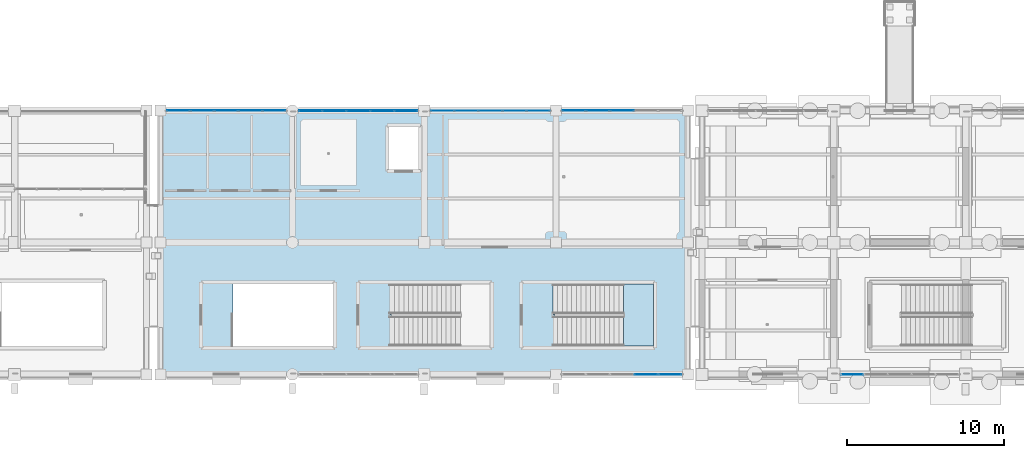
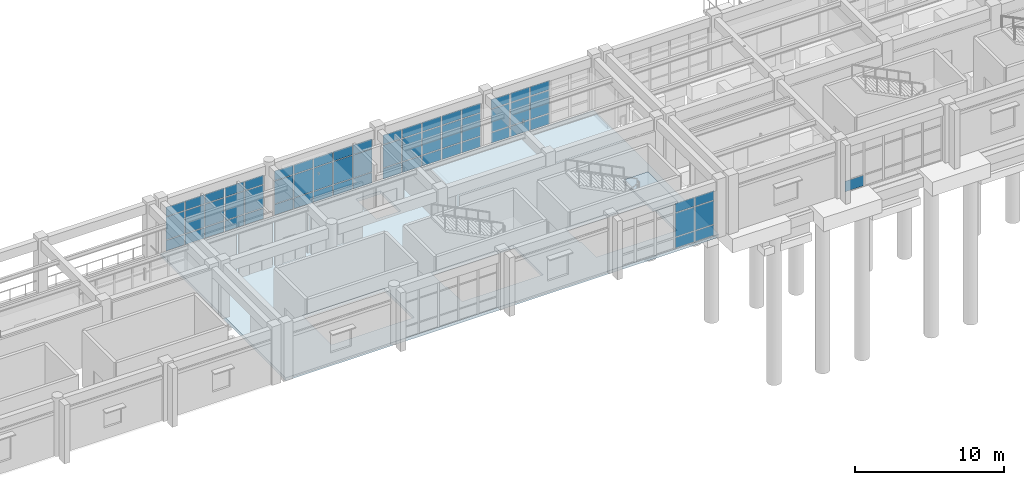
# One storey, part 74 of 111: 61 plates, 2 slabs, 7 elements without a shape of their own.
"""IFC4 building model written with IfcOpenShell, lengths in metres."""

from ifc_helpers import new_model, si_unit, direction, frame, origin, origin_2d, place, context, subcontext, project, spatial, polyline, rectangle, outline, extrude, material, layer, layer_set, type_object, element, aggregate, save


model = new_model("IFC4")

# Units and contexts
model_context = context("Model", 3, precision=1e-05, world=origin(), true_north=direction((0.0, 1.0)))
body_context = subcontext(model_context, "Body", "Model", "MODEL_VIEW")
ifc_project = project(units=[si_unit("LENGTHUNIT", "METRE"), si_unit("AREAUNIT", "SQUARE_METRE"), si_unit("VOLUMEUNIT", "CUBIC_METRE"), si_unit("PLANEANGLEUNIT", "RADIAN"), si_unit("MASSUNIT", "GRAM", prefix="KILO")], contexts=[model_context])

# Site, building, storey
site_placement = place(None, origin())
site = spatial("IfcSite", under=ifc_project, at=site_placement, CompositionType="ELEMENT")
building_placement = place(site_placement, origin())
building = spatial("IfcBuilding", under=site, at=building_placement, Name="Canglan Escarpment Cableway Terminal", CompositionType="ELEMENT")
storey_placement = place(building_placement, frame((0.0, 0.0, 4.800048828125)))
storey = spatial("IfcBuildingStorey", under=building, at=storey_placement, Name="L01", CompositionType="ELEMENT", Elevation=4.800048828125)

# Curtain wall, plates
ifc_material_1 = material(Name="Anodized bronze aluminium and Low-E double glazing", Category="aluminium")
curtain_wall_type_1 = type_object("IfcCurtainWallType", Name="CW-BAY-7675x3725", PredefinedType="NOTDEFINED", material=ifc_material_1)
curtain_wall_1_placement = place(storey_placement, origin())
curtain_wall_1 = element("IfcCurtainWall", 1, at=curtain_wall_1_placement, inside=storey, type_object=curtain_wall_type_1, Name="Classical bay-between-piers glazed curtain wall CW-05", PredefinedType="NOTDEFINED")
ifc_material_2 = material(Name="Double-silver Low-E laminated insulating glass", Category="glass")
ifc_layer_1 = layer(ifc_material_2, 0.02392578125, Name="Double-silver Low-E laminated insulating glass")
ifc_layer_set_1 = layer_set([ifc_layer_1], Name="Double-silver Low-E laminated insulating glass")
plate_type_1 = type_object("IfcPlateType", Name="CWP-01", PredefinedType="CURTAIN_PANEL", material=ifc_layer_set_1)
plate_1_placement = place(storey_placement, frame((66.566162109375, 24.800048828125, 0.06005859375), z_axis=(0.0, 0.0, 1.0), x_axis=(-1.0, 0.0, 0.0)))
plate_1 = element("IfcPlate", 2, at=plate_1_placement, type_object=plate_type_1, Name="CW-05 panel 1.1", PredefinedType="CURTAIN_PANEL", context=body_context, shape_type="SweptSolid", body=[
    extrude(rectangle(XDim=1.4375, YDim=0.02392578125, at=origin_2d()), origin(), (0.0, 0.0, 1.0), 0.860107421875),
])
plate_2_placement = place(storey_placement, frame((66.566162109375, 24.800048828125, 0.97998046875), z_axis=(0.0, 0.0, 1.0), x_axis=(-1.0, 0.0, 0.0)))
plate_2 = element("IfcPlate", 3, at=plate_2_placement, type_object=plate_type_1, Name="CW-05 panel 1.2", PredefinedType="CURTAIN_PANEL", context=body_context, shape_type="SweptSolid", body=[
    extrude(rectangle(XDim=1.4375, YDim=0.02392578125, at=origin_2d()), origin(), (0.0, 0.0, 1.0), 1.85498046875),
])
plate_3_placement = place(storey_placement, frame((66.566162109375, 24.800048828125, 2.89501953125), z_axis=(0.0, 0.0, 1.0), x_axis=(-1.0, 0.0, 0.0)))
plate_3 = element("IfcPlate", 4, at=plate_3_placement, type_object=plate_type_1, Name="CW-05 panel 1.3", PredefinedType="CURTAIN_PANEL", context=body_context, shape_type="SweptSolid", body=[
    extrude(rectangle(XDim=1.4375, YDim=0.02392578125, at=origin_2d()), origin(), (0.0, 0.0, 1.0), 0.760009765625),
])
plate_4_placement = place(storey_placement, frame((65.047607421875, 24.800048828125, 0.06005859375), z_axis=(0.0, 0.0, 1.0), x_axis=(-1.0, 0.0, 0.0)))
plate_4 = element("IfcPlate", 5, at=plate_4_placement, type_object=plate_type_1, Name="CW-05 panel 2.1", PredefinedType="CURTAIN_PANEL", context=body_context, shape_type="SweptSolid", body=[
    extrude(rectangle(XDim=1.469970703125, YDim=0.02392578125, at=origin_2d()), origin(), (0.0, 0.0, 1.0), 0.860107421875),
])
plate_5_placement = place(storey_placement, frame((65.047607421875, 24.800048828125, 0.97998046875), z_axis=(0.0, 0.0, 1.0), x_axis=(-1.0, 0.0, 0.0)))
plate_5 = element("IfcPlate", 6, at=plate_5_placement, type_object=plate_type_1, Name="CW-05 panel 2.2", PredefinedType="CURTAIN_PANEL", context=body_context, shape_type="SweptSolid", body=[
    extrude(rectangle(XDim=1.469970703125, YDim=0.02392578125, at=origin_2d()), origin(), (0.0, 0.0, 1.0), 1.85498046875),
])
plate_6_placement = place(storey_placement, frame((65.047607421875, 24.800048828125, 2.89501953125), z_axis=(0.0, 0.0, 1.0), x_axis=(-1.0, 0.0, 0.0)))
plate_6 = element("IfcPlate", 7, at=plate_6_placement, type_object=plate_type_1, Name="CW-05 panel 2.3", PredefinedType="CURTAIN_PANEL", context=body_context, shape_type="SweptSolid", body=[
    extrude(rectangle(XDim=1.469970703125, YDim=0.02392578125, at=origin_2d()), origin(), (0.0, 0.0, 1.0), 0.760009765625),
])
plate_7_placement = place(storey_placement, frame((63.512451171875, 24.800048828125, 0.06005859375), z_axis=(0.0, 0.0, 1.0), x_axis=(-1.0, 0.0, 0.0)))
plate_7 = element("IfcPlate", 8, at=plate_7_placement, type_object=plate_type_1, Name="CW-05 panel 3.1", PredefinedType="CURTAIN_PANEL", context=body_context, shape_type="SweptSolid", body=[
    extrude(rectangle(XDim=1.469970703125, YDim=0.02392578125, at=origin_2d()), origin(), (0.0, 0.0, 1.0), 0.860107421875),
])
plate_8_placement = place(storey_placement, frame((63.512451171875, 24.800048828125, 0.97998046875), z_axis=(0.0, 0.0, 1.0), x_axis=(-1.0, 0.0, 0.0)))
plate_8 = element("IfcPlate", 9, at=plate_8_placement, type_object=plate_type_1, Name="CW-05 panel 3.2", PredefinedType="CURTAIN_PANEL", context=body_context, shape_type="SweptSolid", body=[
    extrude(rectangle(XDim=1.469970703125, YDim=0.02392578125, at=origin_2d()), origin(), (0.0, 0.0, 1.0), 1.85498046875),
])
plate_9_placement = place(storey_placement, frame((63.512451171875, 24.800048828125, 2.89501953125), z_axis=(0.0, 0.0, 1.0), x_axis=(-1.0, 0.0, 0.0)))
plate_9 = element("IfcPlate", 10, at=plate_9_placement, type_object=plate_type_1, Name="CW-05 panel 3.3", PredefinedType="CURTAIN_PANEL", context=body_context, shape_type="SweptSolid", body=[
    extrude(rectangle(XDim=1.469970703125, YDim=0.02392578125, at=origin_2d()), origin(), (0.0, 0.0, 1.0), 0.760009765625),
])
plate_10_placement = place(storey_placement, frame((61.9775390625, 24.800048828125, 0.06005859375), z_axis=(0.0, 0.0, 1.0), x_axis=(-1.0, 0.0, 0.0)))
plate_10 = element("IfcPlate", 11, at=plate_10_placement, type_object=plate_type_1, Name="CW-05 panel 4.1", PredefinedType="CURTAIN_PANEL", context=body_context, shape_type="SweptSolid", body=[
    extrude(rectangle(XDim=1.469970703125, YDim=0.02392578125, at=origin_2d()), origin(), (0.0, 0.0, 1.0), 0.860107421875),
])
plate_11_placement = place(storey_placement, frame((61.9775390625, 24.800048828125, 0.97998046875), z_axis=(0.0, 0.0, 1.0), x_axis=(-1.0, 0.0, 0.0)))
plate_11 = element("IfcPlate", 12, at=plate_11_placement, type_object=plate_type_1, Name="CW-05 panel 4.2", PredefinedType="CURTAIN_PANEL", context=body_context, shape_type="SweptSolid", body=[
    extrude(rectangle(XDim=1.469970703125, YDim=0.02392578125, at=origin_2d()), origin(), (0.0, 0.0, 1.0), 1.85498046875),
])
plate_12_placement = place(storey_placement, frame((61.9775390625, 24.800048828125, 2.89501953125), z_axis=(0.0, 0.0, 1.0), x_axis=(-1.0, 0.0, 0.0)))
plate_12 = element("IfcPlate", 13, at=plate_12_placement, type_object=plate_type_1, Name="CW-05 panel 4.3", PredefinedType="CURTAIN_PANEL", context=body_context, shape_type="SweptSolid", body=[
    extrude(rectangle(XDim=1.469970703125, YDim=0.02392578125, at=origin_2d()), origin(), (0.0, 0.0, 1.0), 0.760009765625),
])
plate_13_placement = place(storey_placement, frame((60.458740234375, 24.800048828125, 0.06005859375), z_axis=(0.0, 0.0, 1.0), x_axis=(-1.0, 0.0, 0.0)))
plate_13 = element("IfcPlate", 14, at=plate_13_placement, type_object=plate_type_1, Name="CW-05 panel 5.1", PredefinedType="CURTAIN_PANEL", context=body_context, shape_type="SweptSolid", body=[
    extrude(rectangle(XDim=1.4375, YDim=0.02392578125, at=origin_2d()), origin(), (0.0, 0.0, 1.0), 0.860107421875),
])
plate_14_placement = place(storey_placement, frame((60.458740234375, 24.800048828125, 0.97998046875), z_axis=(0.0, 0.0, 1.0), x_axis=(-1.0, 0.0, 0.0)))
plate_14 = element("IfcPlate", 15, at=plate_14_placement, type_object=plate_type_1, Name="CW-05 panel 5.2", PredefinedType="CURTAIN_PANEL", context=body_context, shape_type="SweptSolid", body=[
    extrude(rectangle(XDim=1.4375, YDim=0.02392578125, at=origin_2d()), origin(), (0.0, 0.0, 1.0), 1.85498046875),
])
plate_15_placement = place(storey_placement, frame((60.458740234375, 24.800048828125, 2.89501953125), z_axis=(0.0, 0.0, 1.0), x_axis=(-1.0, 0.0, 0.0)))
plate_15 = element("IfcPlate", 16, at=plate_15_placement, type_object=plate_type_1, Name="CW-05 panel 5.3", PredefinedType="CURTAIN_PANEL", context=body_context, shape_type="SweptSolid", body=[
    extrude(rectangle(XDim=1.4375, YDim=0.02392578125, at=origin_2d()), origin(), (0.0, 0.0, 1.0), 0.760009765625),
])
aggregate(curtain_wall_1, [plate_1, plate_2, plate_3, plate_4, plate_5, plate_6, plate_7, plate_8, plate_9, plate_10, plate_11, plate_12, plate_13, plate_14, plate_15])

# Curtain wall, plate
curtain_wall_type_2 = type_object("IfcCurtainWallType", Name="CW-BAY-7600x3775", PredefinedType="NOTDEFINED", material=ifc_material_1)
curtain_wall_2_placement = place(storey_placement, origin())
curtain_wall_2 = element("IfcCurtainWall", 17, at=curtain_wall_2_placement, inside=storey, type_object=curtain_wall_type_2, Name="Classical bay-between-piers glazed curtain wall CW-09", PredefinedType="NOTDEFINED")
plate_16_placement = place(storey_placement, frame((86.576171875, 8.0, 0.06005859375), z_axis=(0.0, 0.0, 1.0), x_axis=(1.0, 0.0, 0.0)))
plate_16 = element("IfcPlate", 18, at=plate_16_placement, type_object=plate_type_1, Name="CW-09 panel 1.1", PredefinedType="CURTAIN_PANEL", context=body_context, shape_type="SweptSolid", body=[
    extrude(rectangle(XDim=1.422607421875, YDim=0.02392578125, at=origin_2d()), origin(), (0.0, 0.0, 1.0), 0.860107421875),
])
aggregate(curtain_wall_2, [plate_16])

# Curtain wall, plates
curtain_wall_type_3 = type_object("IfcCurtainWallType", Name="CW-BAY-7700x3775", PredefinedType="NOTDEFINED", material=ifc_material_1)
curtain_wall_3_placement = place(storey_placement, origin())
curtain_wall_3 = element("IfcCurtainWall", 19, at=curtain_wall_3_placement, inside=storey, type_object=curtain_wall_type_3, Name="Classical bay-between-piers glazed curtain wall CW-04", PredefinedType="NOTDEFINED")
ifc_layer_2 = layer(ifc_material_2, 0.028076171875, Name="Double-silver Low-E laminated insulating glass")
ifc_layer_set_2 = layer_set([ifc_layer_2], Name="Double-silver Low-E laminated insulating glass")
plate_type_2 = type_object("IfcPlateType", Name="CWP-02", PredefinedType="CURTAIN_PANEL", material=ifc_layer_set_2)
plate_17_placement = place(storey_placement, frame((73.43994140625, 8.0, 0.06494140625), z_axis=(0.0, 0.0, 1.0), x_axis=(1.0, 0.0, 0.0)))
plate_17 = element("IfcPlate", 20, at=plate_17_placement, type_object=plate_type_2, Name="CW-04 panel 4.1", PredefinedType="CURTAIN_PANEL", context=body_context, shape_type="SweptSolid", body=[
    extrude(rectangle(XDim=1.47509765625, YDim=0.028076171875, at=origin_2d()), origin(), (0.0, 0.0, 1.0), 0.8525390625),
])
plate_18_placement = place(storey_placement, frame((73.43994140625, 8.0, 0.982421875), z_axis=(0.0, 0.0, 1.0), x_axis=(1.0, 0.0, 0.0)))
plate_18 = element("IfcPlate", 21, at=plate_18_placement, type_object=plate_type_2, Name="CW-04 panel 4.2", PredefinedType="CURTAIN_PANEL", context=body_context, shape_type="SweptSolid", body=[
    extrude(rectangle(XDim=1.47509765625, YDim=0.028076171875, at=origin_2d()), origin(), (0.0, 0.0, 1.0), 1.919921875),
])
plate_19_placement = place(storey_placement, frame((73.43994140625, 8.0, 2.967529296875), z_axis=(0.0, 0.0, 1.0), x_axis=(1.0, 0.0, 0.0)))
plate_19 = element("IfcPlate", 22, at=plate_19_placement, type_object=plate_type_2, Name="CW-04 panel 4.3", PredefinedType="CURTAIN_PANEL", context=body_context, shape_type="SweptSolid", body=[
    extrude(rectangle(XDim=1.47509765625, YDim=0.028076171875, at=origin_2d()), origin(), (0.0, 0.0, 1.0), 0.75244140625),
])
plate_20_placement = place(storey_placement, frame((74.9638671875, 8.0, 0.06494140625), z_axis=(0.0, 0.0, 1.0), x_axis=(1.0, 0.0, 0.0)))
plate_20 = element("IfcPlate", 23, at=plate_20_placement, type_object=plate_type_2, Name="CW-04 panel 5.1", PredefinedType="CURTAIN_PANEL", context=body_context, shape_type="SweptSolid", body=[
    extrude(rectangle(XDim=1.4423828125, YDim=0.028076171875, at=origin_2d()), origin(), (0.0, 0.0, 1.0), 0.8525390625),
])
plate_21_placement = place(storey_placement, frame((74.9638671875, 8.0, 0.982421875), z_axis=(0.0, 0.0, 1.0), x_axis=(1.0, 0.0, 0.0)))
plate_21 = element("IfcPlate", 24, at=plate_21_placement, type_object=plate_type_2, Name="CW-04 panel 5.2", PredefinedType="CURTAIN_PANEL", context=body_context, shape_type="SweptSolid", body=[
    extrude(rectangle(XDim=1.4423828125, YDim=0.028076171875, at=origin_2d()), origin(), (0.0, 0.0, 1.0), 1.919921875),
])
plate_22_placement = place(storey_placement, frame((74.9638671875, 8.0, 2.967529296875), z_axis=(0.0, 0.0, 1.0), x_axis=(1.0, 0.0, 0.0)))
plate_22 = element("IfcPlate", 25, at=plate_22_placement, type_object=plate_type_2, Name="CW-04 panel 5.3", PredefinedType="CURTAIN_PANEL", context=body_context, shape_type="SweptSolid", body=[
    extrude(rectangle(XDim=1.4423828125, YDim=0.028076171875, at=origin_2d()), origin(), (0.0, 0.0, 1.0), 0.75244140625),
])
aggregate(curtain_wall_3, [plate_17, plate_18, plate_19, plate_20, plate_21, plate_22])

curtain_wall_type_4 = type_object("IfcCurtainWallType", Name="CW-BAY-7700x3725", PredefinedType="NOTDEFINED", material=ifc_material_1)
curtain_wall_4_placement = place(storey_placement, origin())
curtain_wall_4 = element("IfcCurtainWall", 26, at=curtain_wall_4_placement, inside=storey, type_object=curtain_wall_type_4, Name="Classical bay-between-piers glazed curtain wall CW-06", PredefinedType="NOTDEFINED")
plate_23_placement = place(storey_placement, frame((71.89990234375, 24.800048828125, 0.06494140625), z_axis=(0.0, 0.0, 1.0), x_axis=(-1.0, 0.0, 0.0)))
plate_23 = element("IfcPlate", 27, at=plate_23_placement, type_object=plate_type_2, Name="CW-06 panel 3.1", PredefinedType="CURTAIN_PANEL", context=body_context, shape_type="SweptSolid", body=[
    extrude(rectangle(XDim=1.47509765625, YDim=0.028076171875, at=origin_2d()), origin(), (0.0, 0.0, 1.0), 0.8525390625),
])
plate_24_placement = place(storey_placement, frame((71.89990234375, 24.800048828125, 0.982421875), z_axis=(0.0, 0.0, 1.0), x_axis=(-1.0, 0.0, 0.0)))
plate_24 = element("IfcPlate", 28, at=plate_24_placement, type_object=plate_type_2, Name="CW-06 panel 3.2", PredefinedType="CURTAIN_PANEL", context=body_context, shape_type="SweptSolid", body=[
    extrude(rectangle(XDim=1.47509765625, YDim=0.028076171875, at=origin_2d()), origin(), (0.0, 0.0, 1.0), 1.85009765625),
])
plate_25_placement = place(storey_placement, frame((71.89990234375, 24.800048828125, 2.8974609375), z_axis=(0.0, 0.0, 1.0), x_axis=(-1.0, 0.0, 0.0)))
plate_25 = element("IfcPlate", 29, at=plate_25_placement, type_object=plate_type_2, Name="CW-06 panel 3.3", PredefinedType="CURTAIN_PANEL", context=body_context, shape_type="SweptSolid", body=[
    extrude(rectangle(XDim=1.47509765625, YDim=0.028076171875, at=origin_2d()), origin(), (0.0, 0.0, 1.0), 0.75244140625),
])
plate_26_placement = place(storey_placement, frame((70.360107421875, 24.800048828125, 0.06494140625), z_axis=(0.0, 0.0, 1.0), x_axis=(-1.0, 0.0, 0.0)))
plate_26 = element("IfcPlate", 30, at=plate_26_placement, type_object=plate_type_2, Name="CW-06 panel 4.1", PredefinedType="CURTAIN_PANEL", context=body_context, shape_type="SweptSolid", body=[
    extrude(rectangle(XDim=1.47509765625, YDim=0.028076171875, at=origin_2d()), origin(), (0.0, 0.0, 1.0), 0.8525390625),
])
plate_27_placement = place(storey_placement, frame((70.360107421875, 24.800048828125, 0.982421875), z_axis=(0.0, 0.0, 1.0), x_axis=(-1.0, 0.0, 0.0)))
plate_27 = element("IfcPlate", 31, at=plate_27_placement, type_object=plate_type_2, Name="CW-06 panel 4.2", PredefinedType="CURTAIN_PANEL", context=body_context, shape_type="SweptSolid", body=[
    extrude(rectangle(XDim=1.47509765625, YDim=0.028076171875, at=origin_2d()), origin(), (0.0, 0.0, 1.0), 1.85009765625),
])
plate_28_placement = place(storey_placement, frame((70.360107421875, 24.800048828125, 2.8974609375), z_axis=(0.0, 0.0, 1.0), x_axis=(-1.0, 0.0, 0.0)))
plate_28 = element("IfcPlate", 32, at=plate_28_placement, type_object=plate_type_2, Name="CW-06 panel 4.3", PredefinedType="CURTAIN_PANEL", context=body_context, shape_type="SweptSolid", body=[
    extrude(rectangle(XDim=1.47509765625, YDim=0.028076171875, at=origin_2d()), origin(), (0.0, 0.0, 1.0), 0.75244140625),
])
plate_29_placement = place(storey_placement, frame((68.836181640625, 24.800048828125, 0.06494140625), z_axis=(0.0, 0.0, 1.0), x_axis=(-1.0, 0.0, 0.0)))
plate_29 = element("IfcPlate", 33, at=plate_29_placement, type_object=plate_type_2, Name="CW-06 panel 5.1", PredefinedType="CURTAIN_PANEL", context=body_context, shape_type="SweptSolid", body=[
    extrude(rectangle(XDim=1.4423828125, YDim=0.028076171875, at=origin_2d()), origin(), (0.0, 0.0, 1.0), 0.8525390625),
])
plate_30_placement = place(storey_placement, frame((68.836181640625, 24.800048828125, 0.982421875), z_axis=(0.0, 0.0, 1.0), x_axis=(-1.0, 0.0, 0.0)))
plate_30 = element("IfcPlate", 34, at=plate_30_placement, type_object=plate_type_2, Name="CW-06 panel 5.2", PredefinedType="CURTAIN_PANEL", context=body_context, shape_type="SweptSolid", body=[
    extrude(rectangle(XDim=1.4423828125, YDim=0.028076171875, at=origin_2d()), origin(), (0.0, 0.0, 1.0), 1.85009765625),
])
plate_31_placement = place(storey_placement, frame((68.836181640625, 24.800048828125, 2.8974609375), z_axis=(0.0, 0.0, 1.0), x_axis=(-1.0, 0.0, 0.0)))
plate_31 = element("IfcPlate", 35, at=plate_31_placement, type_object=plate_type_2, Name="CW-06 panel 5.3", PredefinedType="CURTAIN_PANEL", context=body_context, shape_type="SweptSolid", body=[
    extrude(rectangle(XDim=1.4423828125, YDim=0.028076171875, at=origin_2d()), origin(), (0.0, 0.0, 1.0), 0.75244140625),
])
aggregate(curtain_wall_4, [plate_23, plate_24, plate_25, plate_26, plate_27, plate_28, plate_29, plate_30, plate_31])

curtain_wall_5_placement = place(storey_placement, origin())
curtain_wall_5 = element("IfcCurtainWall", 36, at=curtain_wall_5_placement, inside=storey, type_object=curtain_wall_type_1, Name="Classical bay-between-piers glazed curtain wall CW-05", PredefinedType="NOTDEFINED")
ifc_layer_3 = layer(ifc_material_2, 0.031982421875, Name="Double-silver Low-E laminated insulating glass")
ifc_layer_set_3 = layer_set([ifc_layer_3], Name="Double-silver Low-E laminated insulating glass")
plate_type_3 = type_object("IfcPlateType", Name="CWP-03", PredefinedType="CURTAIN_PANEL", material=ifc_layer_set_3)
plate_32_placement = place(storey_placement, frame((49.7412109375, 24.800048828125, 0.06494140625), z_axis=(0.0, 0.0, 1.0), x_axis=(-1.0, 0.0, 0.0)))
plate_32 = element("IfcPlate", 37, at=plate_32_placement, type_object=plate_type_3, Name="CW-05 panel 1.1", PredefinedType="CURTAIN_PANEL", context=body_context, shape_type="SweptSolid", body=[
    extrude(rectangle(XDim=1.4375, YDim=0.031982421875, at=origin_2d()), origin(), (0.0, 0.0, 1.0), 0.8525390625),
])
plate_33_placement = place(storey_placement, frame((49.7412109375, 24.800048828125, 0.982421875), z_axis=(0.0, 0.0, 1.0), x_axis=(-1.0, 0.0, 0.0)))
plate_33 = element("IfcPlate", 38, at=plate_33_placement, type_object=plate_type_3, Name="CW-05 panel 1.2", PredefinedType="CURTAIN_PANEL", context=body_context, shape_type="SweptSolid", body=[
    extrude(rectangle(XDim=1.4375, YDim=0.031982421875, at=origin_2d()), origin(), (0.0, 0.0, 1.0), 1.85009765625),
])
plate_34_placement = place(storey_placement, frame((49.7412109375, 24.800048828125, 2.8974609375), z_axis=(0.0, 0.0, 1.0), x_axis=(-1.0, 0.0, 0.0)))
plate_34 = element("IfcPlate", 39, at=plate_34_placement, type_object=plate_type_3, Name="CW-05 panel 1.3", PredefinedType="CURTAIN_PANEL", context=body_context, shape_type="SweptSolid", body=[
    extrude(rectangle(XDim=1.4375, YDim=0.031982421875, at=origin_2d()), origin(), (0.0, 0.0, 1.0), 0.75244140625),
])
plate_35_placement = place(storey_placement, frame((48.222412109375, 24.800048828125, 0.06494140625), z_axis=(0.0, 0.0, 1.0), x_axis=(-1.0, 0.0, 0.0)))
plate_35 = element("IfcPlate", 40, at=plate_35_placement, type_object=plate_type_3, Name="CW-05 panel 2.1", PredefinedType="CURTAIN_PANEL", context=body_context, shape_type="SweptSolid", body=[
    extrude(rectangle(XDim=1.469970703125, YDim=0.031982421875, at=origin_2d()), origin(), (0.0, 0.0, 1.0), 0.8525390625),
])
plate_36_placement = place(storey_placement, frame((48.222412109375, 24.800048828125, 0.982421875), z_axis=(0.0, 0.0, 1.0), x_axis=(-1.0, 0.0, 0.0)))
plate_36 = element("IfcPlate", 41, at=plate_36_placement, type_object=plate_type_3, Name="CW-05 panel 2.2", PredefinedType="CURTAIN_PANEL", context=body_context, shape_type="SweptSolid", body=[
    extrude(rectangle(XDim=1.469970703125, YDim=0.031982421875, at=origin_2d()), origin(), (0.0, 0.0, 1.0), 1.85009765625),
])
plate_37_placement = place(storey_placement, frame((48.222412109375, 24.800048828125, 2.8974609375), z_axis=(0.0, 0.0, 1.0), x_axis=(-1.0, 0.0, 0.0)))
plate_37 = element("IfcPlate", 42, at=plate_37_placement, type_object=plate_type_3, Name="CW-05 panel 2.3", PredefinedType="CURTAIN_PANEL", context=body_context, shape_type="SweptSolid", body=[
    extrude(rectangle(XDim=1.469970703125, YDim=0.031982421875, at=origin_2d()), origin(), (0.0, 0.0, 1.0), 0.75244140625),
])
plate_38_placement = place(storey_placement, frame((46.6875, 24.800048828125, 0.06494140625), z_axis=(0.0, 0.0, 1.0), x_axis=(-1.0, 0.0, 0.0)))
plate_38 = element("IfcPlate", 43, at=plate_38_placement, type_object=plate_type_3, Name="CW-05 panel 3.1", PredefinedType="CURTAIN_PANEL", context=body_context, shape_type="SweptSolid", body=[
    extrude(rectangle(XDim=1.469970703125, YDim=0.031982421875, at=origin_2d()), origin(), (0.0, 0.0, 1.0), 0.8525390625),
])
plate_39_placement = place(storey_placement, frame((46.6875, 24.800048828125, 0.982421875), z_axis=(0.0, 0.0, 1.0), x_axis=(-1.0, 0.0, 0.0)))
plate_39 = element("IfcPlate", 44, at=plate_39_placement, type_object=plate_type_3, Name="CW-05 panel 3.2", PredefinedType="CURTAIN_PANEL", context=body_context, shape_type="SweptSolid", body=[
    extrude(rectangle(XDim=1.469970703125, YDim=0.031982421875, at=origin_2d()), origin(), (0.0, 0.0, 1.0), 1.85009765625),
])
plate_40_placement = place(storey_placement, frame((46.6875, 24.800048828125, 2.8974609375), z_axis=(0.0, 0.0, 1.0), x_axis=(-1.0, 0.0, 0.0)))
plate_40 = element("IfcPlate", 45, at=plate_40_placement, type_object=plate_type_3, Name="CW-05 panel 3.3", PredefinedType="CURTAIN_PANEL", context=body_context, shape_type="SweptSolid", body=[
    extrude(rectangle(XDim=1.469970703125, YDim=0.031982421875, at=origin_2d()), origin(), (0.0, 0.0, 1.0), 0.75244140625),
])
plate_41_placement = place(storey_placement, frame((45.152587890625, 24.800048828125, 0.06494140625), z_axis=(0.0, 0.0, 1.0), x_axis=(-1.0, 0.0, 0.0)))
plate_41 = element("IfcPlate", 46, at=plate_41_placement, type_object=plate_type_3, Name="CW-05 panel 4.1", PredefinedType="CURTAIN_PANEL", context=body_context, shape_type="SweptSolid", body=[
    extrude(rectangle(XDim=1.469970703125, YDim=0.031982421875, at=origin_2d()), origin(), (0.0, 0.0, 1.0), 0.8525390625),
])
plate_42_placement = place(storey_placement, frame((45.152587890625, 24.800048828125, 0.982421875), z_axis=(0.0, 0.0, 1.0), x_axis=(-1.0, 0.0, 0.0)))
plate_42 = element("IfcPlate", 47, at=plate_42_placement, type_object=plate_type_3, Name="CW-05 panel 4.2", PredefinedType="CURTAIN_PANEL", context=body_context, shape_type="SweptSolid", body=[
    extrude(rectangle(XDim=1.469970703125, YDim=0.031982421875, at=origin_2d()), origin(), (0.0, 0.0, 1.0), 1.85009765625),
])
plate_43_placement = place(storey_placement, frame((45.152587890625, 24.800048828125, 2.8974609375), z_axis=(0.0, 0.0, 1.0), x_axis=(-1.0, 0.0, 0.0)))
plate_43 = element("IfcPlate", 48, at=plate_43_placement, type_object=plate_type_3, Name="CW-05 panel 4.3", PredefinedType="CURTAIN_PANEL", context=body_context, shape_type="SweptSolid", body=[
    extrude(rectangle(XDim=1.469970703125, YDim=0.031982421875, at=origin_2d()), origin(), (0.0, 0.0, 1.0), 0.75244140625),
])
plate_44_placement = place(storey_placement, frame((43.6337890625, 24.800048828125, 0.06494140625), z_axis=(0.0, 0.0, 1.0), x_axis=(-1.0, 0.0, 0.0)))
plate_44 = element("IfcPlate", 49, at=plate_44_placement, type_object=plate_type_3, Name="CW-05 panel 5.1", PredefinedType="CURTAIN_PANEL", context=body_context, shape_type="SweptSolid", body=[
    extrude(rectangle(XDim=1.4375, YDim=0.031982421875, at=origin_2d()), origin(), (0.0, 0.0, 1.0), 0.8525390625),
])
plate_45_placement = place(storey_placement, frame((43.6337890625, 24.800048828125, 0.982421875), z_axis=(0.0, 0.0, 1.0), x_axis=(-1.0, 0.0, 0.0)))
plate_45 = element("IfcPlate", 50, at=plate_45_placement, type_object=plate_type_3, Name="CW-05 panel 5.2", PredefinedType="CURTAIN_PANEL", context=body_context, shape_type="SweptSolid", body=[
    extrude(rectangle(XDim=1.4375, YDim=0.031982421875, at=origin_2d()), origin(), (0.0, 0.0, 1.0), 1.85009765625),
])
plate_46_placement = place(storey_placement, frame((43.6337890625, 24.800048828125, 2.8974609375), z_axis=(0.0, 0.0, 1.0), x_axis=(-1.0, 0.0, 0.0)))
plate_46 = element("IfcPlate", 51, at=plate_46_placement, type_object=plate_type_3, Name="CW-05 panel 5.3", PredefinedType="CURTAIN_PANEL", context=body_context, shape_type="SweptSolid", body=[
    extrude(rectangle(XDim=1.4375, YDim=0.031982421875, at=origin_2d()), origin(), (0.0, 0.0, 1.0), 0.75244140625),
])
aggregate(curtain_wall_5, [plate_32, plate_33, plate_34, plate_35, plate_36, plate_37, plate_38, plate_39, plate_40, plate_41, plate_42, plate_43, plate_44, plate_45, plate_46])

curtain_wall_type_5 = type_object("IfcCurtainWallType", Name="CW-BAY-7650x3725", PredefinedType="NOTDEFINED", material=ifc_material_1)
curtain_wall_6_placement = place(storey_placement, origin())
curtain_wall_6 = element("IfcCurtainWall", 52, at=curtain_wall_6_placement, inside=storey, type_object=curtain_wall_type_5, Name="Classical bay-between-piers glazed curtain wall CW-01", PredefinedType="NOTDEFINED")
ifc_layer_4 = layer(ifc_material_2, 0.035888671875, Name="Double-silver Low-E laminated insulating glass")
ifc_layer_set_4 = layer_set([ifc_layer_4], Name="Double-silver Low-E laminated insulating glass")
plate_type_4 = type_object("IfcPlateType", Name="CWP-04", PredefinedType="CURTAIN_PANEL", material=ifc_layer_set_4)
plate_47_placement = place(storey_placement, frame((58.14501953125, 24.800048828125, 0.05517578125), z_axis=(0.0, 0.0, 1.0), x_axis=(-1.0, 0.0, 0.0)))
plate_47 = element("IfcPlate", 53, at=plate_47_placement, type_object=plate_type_4, Name="CW-01 panel 1.1", PredefinedType="CURTAIN_PANEL", context=body_context, shape_type="SweptSolid", body=[
    extrude(rectangle(XDim=1.43994140625, YDim=0.035888671875, at=origin_2d()), origin(), (0.0, 0.0, 1.0), 0.867431640625),
])
plate_48_placement = place(storey_placement, frame((58.14501953125, 24.800048828125, 0.9775390625), z_axis=(0.0, 0.0, 1.0), x_axis=(-1.0, 0.0, 0.0)))
plate_48 = element("IfcPlate", 54, at=plate_48_placement, type_object=plate_type_4, Name="CW-01 panel 1.2", PredefinedType="CURTAIN_PANEL", context=body_context, shape_type="SweptSolid", body=[
    extrude(rectangle(XDim=1.43994140625, YDim=0.035888671875, at=origin_2d()), origin(), (0.0, 0.0, 1.0), 1.860107421875),
])
plate_49_placement = place(storey_placement, frame((58.14501953125, 24.800048828125, 2.892333984375), z_axis=(0.0, 0.0, 1.0), x_axis=(-1.0, 0.0, 0.0)))
plate_49 = element("IfcPlate", 55, at=plate_49_placement, type_object=plate_type_4, Name="CW-01 panel 1.3", PredefinedType="CURTAIN_PANEL", context=body_context, shape_type="SweptSolid", body=[
    extrude(rectangle(XDim=1.43994140625, YDim=0.035888671875, at=origin_2d()), origin(), (0.0, 0.0, 1.0), 0.767578125),
])
plate_50_placement = place(storey_placement, frame((56.6298828125, 24.800048828125, 0.05517578125), z_axis=(0.0, 0.0, 1.0), x_axis=(-1.0, 0.0, 0.0)))
plate_50 = element("IfcPlate", 56, at=plate_50_placement, type_object=plate_type_4, Name="CW-01 panel 2.1", PredefinedType="CURTAIN_PANEL", context=body_context, shape_type="SweptSolid", body=[
    extrude(rectangle(XDim=1.469970703125, YDim=0.035888671875, at=origin_2d()), origin(), (0.0, 0.0, 1.0), 0.867431640625),
])
plate_51_placement = place(storey_placement, frame((56.6298828125, 24.800048828125, 0.9775390625), z_axis=(0.0, 0.0, 1.0), x_axis=(-1.0, 0.0, 0.0)))
plate_51 = element("IfcPlate", 57, at=plate_51_placement, type_object=plate_type_4, Name="CW-01 panel 2.2", PredefinedType="CURTAIN_PANEL", context=body_context, shape_type="SweptSolid", body=[
    extrude(rectangle(XDim=1.469970703125, YDim=0.035888671875, at=origin_2d()), origin(), (0.0, 0.0, 1.0), 1.860107421875),
])
plate_52_placement = place(storey_placement, frame((56.6298828125, 24.800048828125, 2.892333984375), z_axis=(0.0, 0.0, 1.0), x_axis=(-1.0, 0.0, 0.0)))
plate_52 = element("IfcPlate", 58, at=plate_52_placement, type_object=plate_type_4, Name="CW-01 panel 2.3", PredefinedType="CURTAIN_PANEL", context=body_context, shape_type="SweptSolid", body=[
    extrude(rectangle(XDim=1.469970703125, YDim=0.035888671875, at=origin_2d()), origin(), (0.0, 0.0, 1.0), 0.767578125),
])
plate_53_placement = place(storey_placement, frame((55.10009765625, 24.800048828125, 0.05517578125), z_axis=(0.0, 0.0, 1.0), x_axis=(-1.0, 0.0, 0.0)))
plate_53 = element("IfcPlate", 59, at=plate_53_placement, type_object=plate_type_4, Name="CW-01 panel 3.1", PredefinedType="CURTAIN_PANEL", context=body_context, shape_type="SweptSolid", body=[
    extrude(rectangle(XDim=1.469970703125, YDim=0.035888671875, at=origin_2d()), origin(), (0.0, 0.0, 1.0), 0.867431640625),
])
plate_54_placement = place(storey_placement, frame((55.10009765625, 24.800048828125, 0.9775390625), z_axis=(0.0, 0.0, 1.0), x_axis=(-1.0, 0.0, 0.0)))
plate_54 = element("IfcPlate", 60, at=plate_54_placement, type_object=plate_type_4, Name="CW-01 panel 3.2", PredefinedType="CURTAIN_PANEL", context=body_context, shape_type="SweptSolid", body=[
    extrude(rectangle(XDim=1.469970703125, YDim=0.035888671875, at=origin_2d()), origin(), (0.0, 0.0, 1.0), 1.860107421875),
])
plate_55_placement = place(storey_placement, frame((55.10009765625, 24.800048828125, 2.892333984375), z_axis=(0.0, 0.0, 1.0), x_axis=(-1.0, 0.0, 0.0)))
plate_55 = element("IfcPlate", 61, at=plate_55_placement, type_object=plate_type_4, Name="CW-01 panel 3.3", PredefinedType="CURTAIN_PANEL", context=body_context, shape_type="SweptSolid", body=[
    extrude(rectangle(XDim=1.469970703125, YDim=0.035888671875, at=origin_2d()), origin(), (0.0, 0.0, 1.0), 0.767578125),
])
plate_56_placement = place(storey_placement, frame((53.570068359375, 24.800048828125, 0.05517578125), z_axis=(0.0, 0.0, 1.0), x_axis=(-1.0, 0.0, 0.0)))
plate_56 = element("IfcPlate", 62, at=plate_56_placement, type_object=plate_type_4, Name="CW-01 panel 4.1", PredefinedType="CURTAIN_PANEL", context=body_context, shape_type="SweptSolid", body=[
    extrude(rectangle(XDim=1.469970703125, YDim=0.035888671875, at=origin_2d()), origin(), (0.0, 0.0, 1.0), 0.867431640625),
])
plate_57_placement = place(storey_placement, frame((53.570068359375, 24.800048828125, 0.9775390625), z_axis=(0.0, 0.0, 1.0), x_axis=(-1.0, 0.0, 0.0)))
plate_57 = element("IfcPlate", 63, at=plate_57_placement, type_object=plate_type_4, Name="CW-01 panel 4.2", PredefinedType="CURTAIN_PANEL", context=body_context, shape_type="SweptSolid", body=[
    extrude(rectangle(XDim=1.469970703125, YDim=0.035888671875, at=origin_2d()), origin(), (0.0, 0.0, 1.0), 1.860107421875),
])
plate_58_placement = place(storey_placement, frame((53.570068359375, 24.800048828125, 2.892333984375), z_axis=(0.0, 0.0, 1.0), x_axis=(-1.0, 0.0, 0.0)))
plate_58 = element("IfcPlate", 64, at=plate_58_placement, type_object=plate_type_4, Name="CW-01 panel 4.3", PredefinedType="CURTAIN_PANEL", context=body_context, shape_type="SweptSolid", body=[
    extrude(rectangle(XDim=1.469970703125, YDim=0.035888671875, at=origin_2d()), origin(), (0.0, 0.0, 1.0), 0.767578125),
])
plate_59_placement = place(storey_placement, frame((52.054931640625, 24.800048828125, 0.05517578125), z_axis=(0.0, 0.0, 1.0), x_axis=(-1.0, 0.0, 0.0)))
plate_59 = element("IfcPlate", 65, at=plate_59_placement, type_object=plate_type_4, Name="CW-01 panel 5.1", PredefinedType="CURTAIN_PANEL", context=body_context, shape_type="SweptSolid", body=[
    extrude(rectangle(XDim=1.43994140625, YDim=0.035888671875, at=origin_2d()), origin(), (0.0, 0.0, 1.0), 0.867431640625),
])
plate_60_placement = place(storey_placement, frame((52.054931640625, 24.800048828125, 0.9775390625), z_axis=(0.0, 0.0, 1.0), x_axis=(-1.0, 0.0, 0.0)))
plate_60 = element("IfcPlate", 66, at=plate_60_placement, type_object=plate_type_4, Name="CW-01 panel 5.2", PredefinedType="CURTAIN_PANEL", context=body_context, shape_type="SweptSolid", body=[
    extrude(rectangle(XDim=1.43994140625, YDim=0.035888671875, at=origin_2d()), origin(), (0.0, 0.0, 1.0), 1.860107421875),
])
plate_61_placement = place(storey_placement, frame((52.054931640625, 24.800048828125, 2.892333984375), z_axis=(0.0, 0.0, 1.0), x_axis=(-1.0, 0.0, 0.0)))
plate_61 = element("IfcPlate", 67, at=plate_61_placement, type_object=plate_type_4, Name="CW-01 panel 5.3", PredefinedType="CURTAIN_PANEL", context=body_context, shape_type="SweptSolid", body=[
    extrude(rectangle(XDim=1.43994140625, YDim=0.035888671875, at=origin_2d()), origin(), (0.0, 0.0, 1.0), 0.767578125),
])
aggregate(curtain_wall_6, [plate_47, plate_48, plate_49, plate_50, plate_51, plate_52, plate_53, plate_54, plate_55, plate_56, plate_57, plate_58, plate_59, plate_60, plate_61])

# Slab
ifc_material_3 = material(Name="Concrete C40", Category="concrete")
ifc_layer_5 = layer(ifc_material_3, 0.25, Name="Concrete C40")
ifc_layer_set_5 = layer_set([ifc_layer_5], Name="Concrete C40")
slab_type_1 = type_object("IfcSlabType", Name="SLB-FLR-250", PredefinedType="FLOOR", material=ifc_layer_set_5)
slab_1_placement = place(storey_placement, frame((0.0, 0.0, -0.25)))
element("IfcSlab", 68, at=slab_1_placement, inside=storey, type_object=slab_type_1, Name="Suspended structural floor slab L01", PredefinedType="FLOOR", context=body_context, shape_type="SweptSolid", body=[
    extrude(outline(polyline([(42.5, 8.0), (76.10009765625, 8.0), (76.10009765625, 24.800048828125), (42.5, 24.800048828125), (42.5, 8.0)]), holes=[polyline([(47.10009765625, 11.85009765625), (47.10595703125, 11.85009765625), (47.10595703125, 13.75), (53.5, 13.75), (53.5, 11.85009765625), (53.5, 11.830078125), (53.5, 9.800048828125), (47.10009765625, 9.800048828125), (47.10009765625, 11.85009765625)]), polyline([(57.219970703125, 11.830078125), (57.10595703125, 11.830078125), (57.10595703125, 13.75), (63.5, 13.75), (63.5, 11.85009765625), (63.5, 11.830078125), (63.5, 9.800048828125), (57.219970703125, 9.800048828125), (57.219970703125, 11.830078125)]), polyline([(67.6201171875, 11.830078125), (67.506103515625, 11.830078125), (67.506103515625, 13.75), (73.89990234375, 13.75), (73.89990234375, 11.85009765625), (73.89990234375, 11.830078125), (73.89990234375, 9.800048828125), (67.6201171875, 9.800048828125), (67.6201171875, 11.830078125)]), polyline([(57.050048828125, 23.75), (58.949951171875, 23.75), (58.949951171875, 21.050048828125), (57.050048828125, 21.050048828125), (57.050048828125, 23.75)])]), origin(), (0.0, 0.0, 1.0), 0.25),
])

# Stair, slab
stair_type = type_object("IfcStairType", Name="STR-DOGLEG-1900", PredefinedType="HALF_TURN_STAIR", material=ifc_material_3)
stair_placement = place(storey_placement, origin())
stair = element("IfcStair", 69, at=stair_placement, inside=storey, type_object=stair_type, Name="L01 Protected Exit Stair ST-05", PredefinedType="HALF_TURN_STAIR")
ifc_layer_6 = layer(ifc_material_3, 0.199951171875, Name="Concrete C40")
ifc_layer_set_6 = layer_set([ifc_layer_6], Name="Concrete C40")
slab_type_2 = type_object("IfcSlabType", Name="SLB-STAIR-LAND-200", PredefinedType="LANDING", material=ifc_layer_set_6)
slab_2_placement = place(storey_placement, frame((0.0, 0.0, 2.199951171875)))
slab_2 = element("IfcSlab", 70, at=slab_2_placement, type_object=slab_type_2, Name="ST-05 landing 1", PredefinedType="LANDING", context=body_context, shape_type="SweptSolid", body=[
    extrude(outline(polyline([(72.0, 9.800048828125), (73.89990234375, 9.800048828125), (73.89990234375, 13.75), (72.0, 13.75), (72.0, 9.800048828125)])), origin(), (0.0, 0.0, 1.0), 0.199951171875),
])
aggregate(stair, [slab_2])

save(model, "model.ifc")
